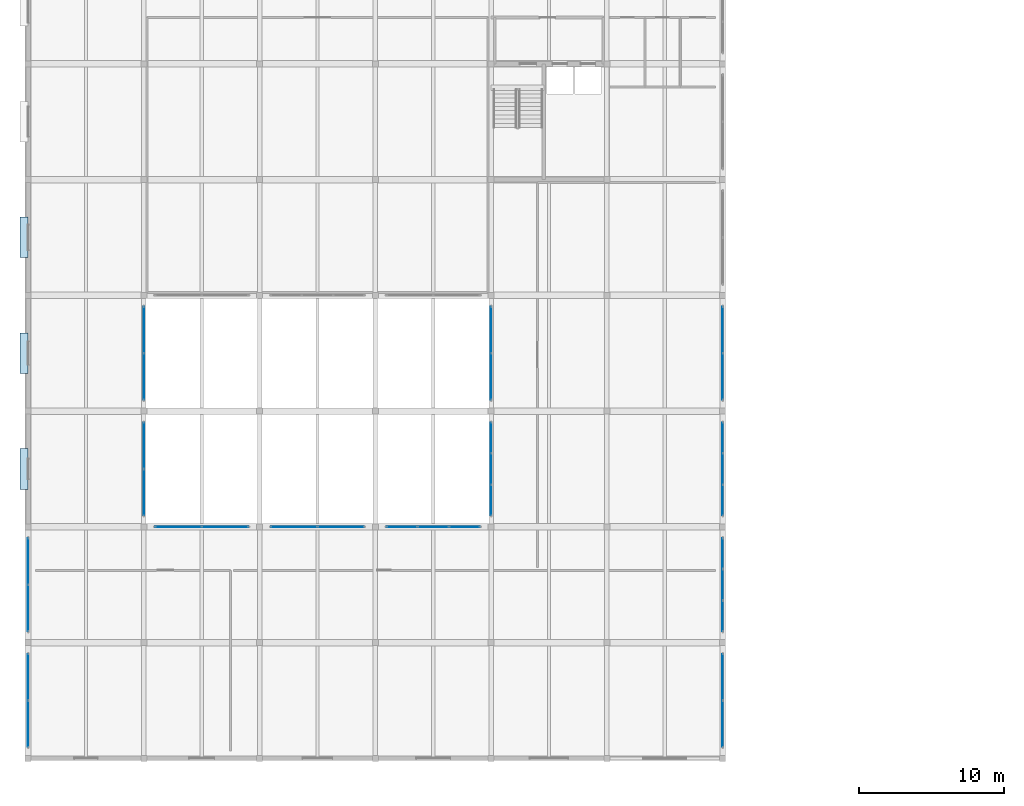
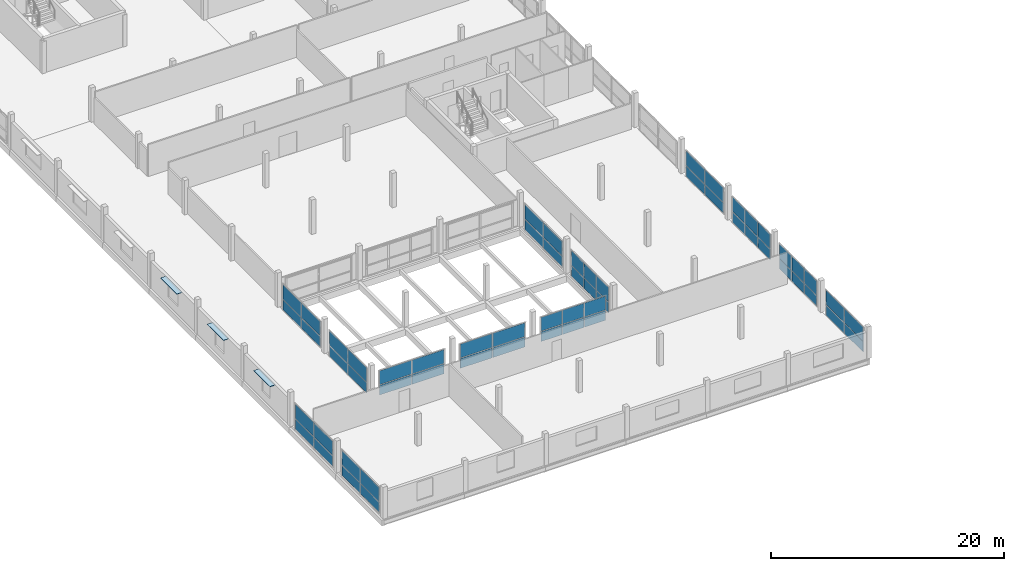
# One storey, part 30 of 51: 63 plates, 13 elements without a shape of their own.
"""IFC4 building model written with IfcOpenShell, lengths in metres."""

import ifcopenshell
import ifcopenshell.guid

model = None  # the IFC model being written
_history = None  # IfcOwnerHistory: only IFC2X3 demands one
_inside = {}  # id of a spatial element -> (the spatial element, [elements in it])
_under = {}  # id of a project, library or spatial element -> (it, [spatial elements below it])
_declared = {}  # id of a project -> (the project, [libraries it declares])
_typed = {}  # id of a type object -> (the type object, [elements of that type])
_made_of = {}  # id of a material, layer set ... -> (it, [elements and type objects made of it])


def new_model(schema):
    """Start an empty IFC model of exactly this schema.

    Asked for "IFC4X3", IfcOpenShell would pick the latest addendum, in which some entities
    have other attributes; the version numbers below select the first issue.
    IFC2X3 requires an IfcOwnerHistory on every rooted entity: one is made here for all.
    """
    global model, _history
    if schema == "IFC4X3":
        model = ifcopenshell.file(schema_version=(4, 3, 0, 0))
    else:
        model = ifcopenshell.file(schema=schema)
    _inside.clear()
    _under.clear()
    _declared.clear()
    _typed.clear()
    _made_of.clear()
    _history = None
    if model.schema == "IFC2X3":
        org = make("IfcOrganization", Name="unknown")
        user = make(
            "IfcPersonAndOrganization",
            ThePerson=make("IfcPerson", FamilyName="unknown"),
            TheOrganization=org,
        )
        app = make(
            "IfcApplication",
            ApplicationDeveloper=org,
            Version="unknown",
            ApplicationFullName="unknown",
            ApplicationIdentifier="unknown",
        )
        _history = make(
            "IfcOwnerHistory",
            OwningUser=user,
            OwningApplication=app,
            ChangeAction="ADDED",
            CreationDate=0,
        )
    return model


def make(cls, **values):
    """One entity of the class cls with the attributes given. An attribute that is None is left unset."""
    return model.create_entity(
        cls, **{name: value for name, value in values.items() if value is not None}
    )


def rooted(cls, **values):
    """An entity with a GlobalId (a new one), such as an element, a storey or a relation."""
    return make(cls, GlobalId=ifcopenshell.guid.new(), OwnerHistory=_history, **values)


def si_unit(unit_type, name, prefix=None):
    """IfcSIUnit, for example si_unit("LENGTHUNIT", "METRE", prefix="MILLI")."""
    return make("IfcSIUnit", UnitType=unit_type, Prefix=prefix, Name=name)


def assignment(units):
    """IfcUnitAssignment: the units of a project."""
    return None if units is None else make("IfcUnitAssignment", Units=units)


def point(xyz):
    """IfcCartesianPoint."""
    return None if xyz is None else make("IfcCartesianPoint", Coordinates=xyz)


def direction(xyz):
    """IfcDirection."""
    return None if xyz is None else make("IfcDirection", DirectionRatios=xyz)


def frame(location, z_axis=None, x_axis=None):
    """IfcAxis2Placement3D, a coordinate frame: its origin and axes. An axis left out is left unset."""
    return make(
        "IfcAxis2Placement3D",
        Location=point(location),
        Axis=direction(z_axis),
        RefDirection=direction(x_axis),
    )


def frame_2d(location, x_axis=None):
    """IfcAxis2Placement2D, a coordinate frame in the plane: its origin and x axis."""
    return make(
        "IfcAxis2Placement2D", Location=point(location), RefDirection=direction(x_axis)
    )


def origin():
    """The frame at (0, 0, 0) with its axes left unset."""
    return frame((0.0, 0.0, 0.0))


def origin_2d():
    """The frame at (0, 0) in the plane with its x axis left unset."""
    return frame_2d((0.0, 0.0))


def place(relative_to, where):
    """IfcLocalPlacement: puts the frame where relative to a parent placement (None: the world)."""
    return make(
        "IfcLocalPlacement", PlacementRelTo=relative_to, RelativePlacement=where
    )


def context(
    kind, dimensions, precision=None, world=None, true_north=None, identifier=None
):
    """IfcGeometricRepresentationContext, for example the 3D "Model" context."""
    return make(
        "IfcGeometricRepresentationContext",
        ContextIdentifier=identifier,
        ContextType=kind,
        CoordinateSpaceDimension=dimensions,
        Precision=precision,
        WorldCoordinateSystem=world,
        TrueNorth=true_north,
    )


def subcontext(parent, identifier, kind, view, scale=None):
    """IfcGeometricRepresentationSubContext, for example "Body" below "Model"."""
    return make(
        "IfcGeometricRepresentationSubContext",
        ContextIdentifier=identifier,
        ContextType=kind,
        ParentContext=parent,
        TargetScale=scale,
        TargetView=view,
    )


def project(units=None, contexts=None):
    """IfcProject with its units and contexts."""
    return rooted(
        "IfcProject",
        Name="project",
        RepresentationContexts=contexts,
        UnitsInContext=assignment(units),
    )


def spatial(cls, under=None, at=None, **own):
    """A site, building, storey or space (cls), placed at a placement, below another one or the project."""
    s = rooted(cls, ObjectPlacement=at, **own)
    if under is not None:
        _under.setdefault(under.id(), (under, []))[1].append(s)
    return s


def profile(cls, at=None, kind="AREA", **sizes):
    """A parametric profile (cls). Its sizes go by their IFC names, for example OverallWidth=200.0."""
    return make(cls, ProfileType=kind, Position=at, **sizes)


def rectangle(**sizes):
    """IfcRectangleProfileDef."""
    return profile("IfcRectangleProfileDef", **sizes)


def extrude(swept, where, along, depth):
    """IfcExtrudedAreaSolid: the profile swept, set in the frame where, extruded along a direction by depth."""
    return make(
        "IfcExtrudedAreaSolid",
        SweptArea=swept,
        Position=where,
        ExtrudedDirection=direction(along),
        Depth=depth,
    )


def shape(context_of_items, identifier, shape_type, items):
    """IfcShapeRepresentation: the items that make up one representation, for example the "Body"."""
    return make(
        "IfcShapeRepresentation",
        ContextOfItems=context_of_items,
        RepresentationIdentifier=identifier,
        RepresentationType=shape_type,
        Items=items,
    )


def material(Name=None, Category=None):
    """IfcMaterial."""
    return make("IfcMaterial", Name=Name, Category=Category)


def layer(
    of_material, thickness, ventilated=None, Name=None, Category=None, Priority=None
):
    """IfcMaterialLayer: one layer of a wall or slab, of a material (None: an air gap)."""
    return make(
        "IfcMaterialLayer",
        Material=of_material,
        LayerThickness=thickness,
        IsVentilated=ventilated,
        Name=Name,
        Category=Category,
        Priority=Priority,
    )


def layer_set(layers, Name=None):
    """IfcMaterialLayerSet."""
    return make("IfcMaterialLayerSet", MaterialLayers=layers, LayerSetName=Name)


def made_of(thing, what):
    """Note that an element or type object is made of a material, layer set ...; save() writes the relation."""
    if what is not None:
        _made_of.setdefault(what.id(), (what, []))[1].append(thing)
    return thing


def type_object(cls, material=None, **own):
    """A type object (cls), such as IfcWallType, which elements share."""
    return made_of(rooted(cls, **own), material)


def element(
    cls,
    number,
    at=None,
    inside=None,
    cuts=None,
    type_object=None,
    material=None,
    context=None,
    identifier="Body",
    shape_type=None,
    held_by="IfcProductDefinitionShape",
    body=None,
    shapes=None,
    **own,
):
    """One element of the class cls, such as IfcWall. Its Tag is "e" and its number.

    at: its placement. inside: the storey or other place that contains it. cuts: it is an
    opening in that element (IfcRelVoidsElement). A single representation is given by context,
    identifier, shape_type and body (its items); several are given by shapes. held_by: the class
    of the entity that holds the representations. save() writes the other relations.
    """
    e = rooted(cls, Tag="e%d" % number, ObjectPlacement=at, **own)
    if body is not None:
        shapes = [shape(context, identifier, shape_type, body)]
    if shapes is not None:
        e.Representation = make(held_by, Representations=shapes)
    if inside is not None:
        _inside.setdefault(inside.id(), (inside, []))[1].append(e)
    if cuts is not None:
        rooted(
            "IfcRelVoidsElement", RelatingBuildingElement=cuts, RelatedOpeningElement=e
        )
    if type_object is not None:
        _typed.setdefault(type_object.id(), (type_object, []))[1].append(e)
    return made_of(e, material)


def aggregate(whole, parts):
    """IfcRelAggregates: a whole, such as a stair, and the parts it consists of."""
    return rooted("IfcRelAggregates", RelatingObject=whole, RelatedObjects=parts)


def save(model, path):
    """Write the relations noted so far, then the file.

    IfcRelAggregates (storeys below a building ...), IfcRelContainedInSpatialStructure (elements
    in a storey), IfcRelDefinesByType, IfcRelAssociatesMaterial and IfcRelDeclares: one each for
    every whole, place, type object, material and project.
    """
    for whole, parts in _under.values():
        aggregate(whole, parts)
    for where, things in _inside.values():
        rooted(
            "IfcRelContainedInSpatialStructure",
            RelatedElements=things,
            RelatingStructure=where,
        )
    for kind, things in _typed.values():
        rooted("IfcRelDefinesByType", RelatedObjects=things, RelatingType=kind)
    for what, things in _made_of.values():
        rooted("IfcRelAssociatesMaterial", RelatedObjects=things, RelatingMaterial=what)
    for by, libraries in _declared.values():
        rooted("IfcRelDeclares", RelatingContext=by, RelatedDefinitions=libraries)
    model.write(path)


model = new_model("IFC4")

# Units and contexts
model_context = context("Model", 3, precision=1e-05, world=origin(), true_north=direction((0.0, 1.0)))
body_context = subcontext(model_context, "Body", "Model", "MODEL_VIEW")
ifc_project = project(units=[si_unit("LENGTHUNIT", "METRE"), si_unit("AREAUNIT", "SQUARE_METRE"), si_unit("VOLUMEUNIT", "CUBIC_METRE"), si_unit("PLANEANGLEUNIT", "RADIAN"), si_unit("MASSUNIT", "GRAM", prefix="KILO")], contexts=[model_context])

# Site, building, storey
site_placement = place(None, origin())
site = spatial("IfcSite", under=ifc_project, at=site_placement, CompositionType="ELEMENT")
building_placement = place(site_placement, origin())
building = spatial("IfcBuilding", under=site, at=building_placement, Name="Vharandega Faculty of Natural Sciences", CompositionType="ELEMENT")
storey_placement = place(building_placement, frame((0.0, 0.0, 14.39990234375)))
storey = spatial("IfcBuildingStorey", under=building, at=storey_placement, Name="L03", CompositionType="ELEMENT", Elevation=14.39990234375)

# Curtain wall, plates
ifc_material_1 = material(Name="Aluminium and solar-control glass curtain wall", Category="aluminium")
curtain_wall_type_1 = type_object("IfcCurtainWallType", Name="Unitised Curtain Wall System CW-12", PredefinedType="NOTDEFINED", material=ifc_material_1)
curtain_wall_1_placement = place(storey_placement, origin())
curtain_wall_1 = element("IfcCurtainWall", 1, at=curtain_wall_1_placement, inside=storey, type_object=curtain_wall_type_1, Name="Curtain Wall CW-L03-151", PredefinedType="NOTDEFINED")
ifc_material_2 = material(Name="Double-glazed low-E solar glass", Category="glass")
ifc_layer_1 = layer(ifc_material_2, 0.028076171875, Name="Double-glazed low-E solar glass")
ifc_layer_set_1 = layer_set([ifc_layer_1], Name="Double-glazed low-E solar glass")
plate_type_1 = type_object("IfcPlateType", Name="CW Solar Vision Panel 28mm", PredefinedType="CURTAIN_PANEL", material=ifc_layer_set_1)
plate_1_placement = place(storey_placement, frame((0.0, 2.385009765625, 0.06005859375), z_axis=(0.0, 0.0, 1.0), x_axis=(0.0, 1.0, 0.0)))
plate_1 = element("IfcPlate", 2, at=plate_1_placement, type_object=plate_type_1, Name="CW-12 panel 1.1", PredefinedType="CURTAIN_PANEL", context=body_context, shape_type="SweptSolid", body=[
    extrude(rectangle(XDim=3.169921875, YDim=0.028076171875, at=origin_2d()), origin(), (0.0, 0.0, 1.0), 1.060791015625),
])
plate_2_placement = place(storey_placement, frame((0.0, 2.385009765625, 1.1806640625), z_axis=(0.0, 0.0, 1.0), x_axis=(0.0, 1.0, 0.0)))
plate_2 = element("IfcPlate", 3, at=plate_2_placement, type_object=plate_type_1, Name="CW-12 panel 1.2", PredefinedType="CURTAIN_PANEL", context=body_context, shape_type="SweptSolid", body=[
    extrude(rectangle(XDim=3.169921875, YDim=0.028076171875, at=origin_2d()), origin(), (0.0, 0.0, 1.0), 1.499267578125),
])
plate_3_placement = place(storey_placement, frame((0.0, 5.614990234375, 0.06005859375), z_axis=(0.0, 0.0, 1.0), x_axis=(0.0, 1.0, 0.0)))
plate_3 = element("IfcPlate", 4, at=plate_3_placement, type_object=plate_type_1, Name="CW-12 panel 2.1", PredefinedType="CURTAIN_PANEL", context=body_context, shape_type="SweptSolid", body=[
    extrude(rectangle(XDim=3.169921875, YDim=0.028076171875, at=origin_2d()), origin(), (0.0, 0.0, 1.0), 1.060791015625),
])
plate_4_placement = place(storey_placement, frame((0.0, 5.614990234375, 1.1806640625), z_axis=(0.0, 0.0, 1.0), x_axis=(0.0, 1.0, 0.0)))
plate_4 = element("IfcPlate", 5, at=plate_4_placement, type_object=plate_type_1, Name="CW-12 panel 2.2", PredefinedType="CURTAIN_PANEL", context=body_context, shape_type="SweptSolid", body=[
    extrude(rectangle(XDim=3.169921875, YDim=0.028076171875, at=origin_2d()), origin(), (0.0, 0.0, 1.0), 1.499267578125),
])
aggregate(curtain_wall_1, [plate_1, plate_2, plate_3, plate_4])

ifc_material_3 = material(Name="Aluminium and solar-control glass curtain wall", Category="aluminium")
curtain_wall_type_2 = type_object("IfcCurtainWallType", Name="Unitised Curtain Wall System CW-13", PredefinedType="NOTDEFINED", material=ifc_material_3)
curtain_wall_2_placement = place(storey_placement, origin())
curtain_wall_2 = element("IfcCurtainWall", 6, at=curtain_wall_2_placement, inside=storey, type_object=curtain_wall_type_2, Name="Curtain Wall CW-L03-152", PredefinedType="NOTDEFINED")
plate_5_placement = place(storey_placement, frame((0.0, 10.385009765625, 0.06005859375), z_axis=(0.0, 0.0, 1.0), x_axis=(0.0, 1.0, 0.0)))
plate_5 = element("IfcPlate", 7, at=plate_5_placement, type_object=plate_type_1, Name="CW-13 panel 1.1", PredefinedType="CURTAIN_PANEL", context=body_context, shape_type="SweptSolid", body=[
    extrude(rectangle(XDim=3.169921875, YDim=0.028076171875, at=origin_2d()), origin(), (0.0, 0.0, 1.0), 1.060791015625),
])
plate_6_placement = place(storey_placement, frame((0.0, 10.385009765625, 1.1806640625), z_axis=(0.0, 0.0, 1.0), x_axis=(0.0, 1.0, 0.0)))
plate_6 = element("IfcPlate", 8, at=plate_6_placement, type_object=plate_type_1, Name="CW-13 panel 1.2", PredefinedType="CURTAIN_PANEL", context=body_context, shape_type="SweptSolid", body=[
    extrude(rectangle(XDim=3.169921875, YDim=0.028076171875, at=origin_2d()), origin(), (0.0, 0.0, 1.0), 1.499267578125),
])
plate_7_placement = place(storey_placement, frame((0.0, 13.614990234375, 0.06005859375), z_axis=(0.0, 0.0, 1.0), x_axis=(0.0, 1.0, 0.0)))
plate_7 = element("IfcPlate", 9, at=plate_7_placement, type_object=plate_type_1, Name="CW-13 panel 2.1", PredefinedType="CURTAIN_PANEL", context=body_context, shape_type="SweptSolid", body=[
    extrude(rectangle(XDim=3.169921875, YDim=0.028076171875, at=origin_2d()), origin(), (0.0, 0.0, 1.0), 1.060791015625),
])
plate_8_placement = place(storey_placement, frame((0.0, 13.614990234375, 1.1806640625), z_axis=(0.0, 0.0, 1.0), x_axis=(0.0, 1.0, 0.0)))
plate_8 = element("IfcPlate", 10, at=plate_8_placement, type_object=plate_type_1, Name="CW-13 panel 2.2", PredefinedType="CURTAIN_PANEL", context=body_context, shape_type="SweptSolid", body=[
    extrude(rectangle(XDim=3.169921875, YDim=0.028076171875, at=origin_2d()), origin(), (0.0, 0.0, 1.0), 1.499267578125),
])
aggregate(curtain_wall_2, [plate_5, plate_6, plate_7, plate_8])

ifc_material_4 = material(Name="Aluminium and solar-control glass curtain wall", Category="aluminium")
curtain_wall_type_3 = type_object("IfcCurtainWallType", Name="Unitised Curtain Wall System CW-14", PredefinedType="NOTDEFINED", material=ifc_material_4)
curtain_wall_3_placement = place(storey_placement, origin())
curtain_wall_3 = element("IfcCurtainWall", 11, at=curtain_wall_3_placement, inside=storey, type_object=curtain_wall_type_3, Name="Curtain Wall CW-L03-153", PredefinedType="NOTDEFINED")
plate_9_placement = place(storey_placement, frame((48.0, 2.385009765625, 0.06005859375), z_axis=(0.0, 0.0, 1.0), x_axis=(0.0, 1.0, 0.0)))
plate_9 = element("IfcPlate", 12, at=plate_9_placement, type_object=plate_type_1, Name="CW-14 panel 1.1", PredefinedType="CURTAIN_PANEL", context=body_context, shape_type="SweptSolid", body=[
    extrude(rectangle(XDim=3.169921875, YDim=0.028076171875, at=origin_2d()), origin(), (0.0, 0.0, 1.0), 1.060791015625),
])
plate_10_placement = place(storey_placement, frame((48.0, 2.385009765625, 1.1806640625), z_axis=(0.0, 0.0, 1.0), x_axis=(0.0, 1.0, 0.0)))
plate_10 = element("IfcPlate", 13, at=plate_10_placement, type_object=plate_type_1, Name="CW-14 panel 1.2", PredefinedType="CURTAIN_PANEL", context=body_context, shape_type="SweptSolid", body=[
    extrude(rectangle(XDim=3.169921875, YDim=0.028076171875, at=origin_2d()), origin(), (0.0, 0.0, 1.0), 1.499267578125),
])
plate_11_placement = place(storey_placement, frame((48.0, 5.614990234375, 0.06005859375), z_axis=(0.0, 0.0, 1.0), x_axis=(0.0, 1.0, 0.0)))
plate_11 = element("IfcPlate", 14, at=plate_11_placement, type_object=plate_type_1, Name="CW-14 panel 2.1", PredefinedType="CURTAIN_PANEL", context=body_context, shape_type="SweptSolid", body=[
    extrude(rectangle(XDim=3.169921875, YDim=0.028076171875, at=origin_2d()), origin(), (0.0, 0.0, 1.0), 1.060791015625),
])
plate_12_placement = place(storey_placement, frame((48.0, 5.614990234375, 1.1806640625), z_axis=(0.0, 0.0, 1.0), x_axis=(0.0, 1.0, 0.0)))
plate_12 = element("IfcPlate", 15, at=plate_12_placement, type_object=plate_type_1, Name="CW-14 panel 2.2", PredefinedType="CURTAIN_PANEL", context=body_context, shape_type="SweptSolid", body=[
    extrude(rectangle(XDim=3.169921875, YDim=0.028076171875, at=origin_2d()), origin(), (0.0, 0.0, 1.0), 1.499267578125),
])
aggregate(curtain_wall_3, [plate_9, plate_10, plate_11, plate_12])

ifc_material_5 = material(Name="Aluminium and solar-control glass curtain wall", Category="aluminium")
curtain_wall_type_4 = type_object("IfcCurtainWallType", Name="Unitised Curtain Wall System CW-15", PredefinedType="NOTDEFINED", material=ifc_material_5)
curtain_wall_4_placement = place(storey_placement, origin())
curtain_wall_4 = element("IfcCurtainWall", 16, at=curtain_wall_4_placement, inside=storey, type_object=curtain_wall_type_4, Name="Curtain Wall CW-L03-154", PredefinedType="NOTDEFINED")
plate_13_placement = place(storey_placement, frame((48.0, 9.841552734375, 0.06005859375), z_axis=(0.0, 0.0, 1.0), x_axis=(0.0, 1.0, 0.0)))
plate_13 = element("IfcPlate", 17, at=plate_13_placement, type_object=plate_type_1, Name="CW-15 panel 1.1", PredefinedType="CURTAIN_PANEL", context=body_context, shape_type="SweptSolid", body=[
    extrude(rectangle(XDim=2.083251953125, YDim=0.028076171875, at=origin_2d()), origin(), (0.0, 0.0, 1.0), 1.060791015625),
])
plate_14_placement = place(storey_placement, frame((48.0, 9.841552734375, 1.1806640625), z_axis=(0.0, 0.0, 1.0), x_axis=(0.0, 1.0, 0.0)))
plate_14 = element("IfcPlate", 18, at=plate_14_placement, type_object=plate_type_1, Name="CW-15 panel 1.2", PredefinedType="CURTAIN_PANEL", context=body_context, shape_type="SweptSolid", body=[
    extrude(rectangle(XDim=2.083251953125, YDim=0.028076171875, at=origin_2d()), origin(), (0.0, 0.0, 1.0), 1.499267578125),
])
plate_15_placement = place(storey_placement, frame((48.0, 12.0, 0.06005859375), z_axis=(0.0, 0.0, 1.0), x_axis=(0.0, 1.0, 0.0)))
plate_15 = element("IfcPlate", 19, at=plate_15_placement, type_object=plate_type_1, Name="CW-15 panel 2.1", PredefinedType="CURTAIN_PANEL", context=body_context, shape_type="SweptSolid", body=[
    extrude(rectangle(XDim=2.11328125, YDim=0.028076171875, at=origin_2d()), origin(), (0.0, 0.0, 1.0), 1.060791015625),
])
plate_16_placement = place(storey_placement, frame((48.0, 12.0, 1.1806640625), z_axis=(0.0, 0.0, 1.0), x_axis=(0.0, 1.0, 0.0)))
plate_16 = element("IfcPlate", 20, at=plate_16_placement, type_object=plate_type_1, Name="CW-15 panel 2.2", PredefinedType="CURTAIN_PANEL", context=body_context, shape_type="SweptSolid", body=[
    extrude(rectangle(XDim=2.11328125, YDim=0.028076171875, at=origin_2d()), origin(), (0.0, 0.0, 1.0), 1.499267578125),
])
plate_17_placement = place(storey_placement, frame((48.0, 14.158447265625, 0.06005859375), z_axis=(0.0, 0.0, 1.0), x_axis=(0.0, 1.0, 0.0)))
plate_17 = element("IfcPlate", 21, at=plate_17_placement, type_object=plate_type_1, Name="CW-15 panel 3.1", PredefinedType="CURTAIN_PANEL", context=body_context, shape_type="SweptSolid", body=[
    extrude(rectangle(XDim=2.083251953125, YDim=0.028076171875, at=origin_2d()), origin(), (0.0, 0.0, 1.0), 1.060791015625),
])
plate_18_placement = place(storey_placement, frame((48.0, 14.158447265625, 1.1806640625), z_axis=(0.0, 0.0, 1.0), x_axis=(0.0, 1.0, 0.0)))
plate_18 = element("IfcPlate", 22, at=plate_18_placement, type_object=plate_type_1, Name="CW-15 panel 3.2", PredefinedType="CURTAIN_PANEL", context=body_context, shape_type="SweptSolid", body=[
    extrude(rectangle(XDim=2.083251953125, YDim=0.028076171875, at=origin_2d()), origin(), (0.0, 0.0, 1.0), 1.499267578125),
])
aggregate(curtain_wall_4, [plate_13, plate_14, plate_15, plate_16, plate_17, plate_18])

ifc_material_6 = material(Name="Aluminium and solar-control glass curtain wall", Category="aluminium")
curtain_wall_type_5 = type_object("IfcCurtainWallType", Name="Unitised Curtain Wall System CW-16", PredefinedType="NOTDEFINED", material=ifc_material_6)
curtain_wall_5_placement = place(storey_placement, origin())
curtain_wall_5 = element("IfcCurtainWall", 23, at=curtain_wall_5_placement, inside=storey, type_object=curtain_wall_type_5, Name="Curtain Wall CW-L03-155", PredefinedType="NOTDEFINED")
plate_19_placement = place(storey_placement, frame((48.0, 17.841552734375, 0.06005859375), z_axis=(0.0, 0.0, 1.0), x_axis=(0.0, 1.0, 0.0)))
plate_19 = element("IfcPlate", 24, at=plate_19_placement, type_object=plate_type_1, Name="CW-16 panel 1.1", PredefinedType="CURTAIN_PANEL", context=body_context, shape_type="SweptSolid", body=[
    extrude(rectangle(XDim=2.083251953125, YDim=0.028076171875, at=origin_2d()), origin(), (0.0, 0.0, 1.0), 1.07763671875),
])
plate_20_placement = place(storey_placement, frame((48.0, 17.841552734375, 1.19775390625), z_axis=(0.0, 0.0, 1.0), x_axis=(0.0, 1.0, 0.0)))
plate_20 = element("IfcPlate", 25, at=plate_20_placement, type_object=plate_type_1, Name="CW-16 panel 1.2", PredefinedType="CURTAIN_PANEL", context=body_context, shape_type="SweptSolid", body=[
    extrude(rectangle(XDim=2.083251953125, YDim=0.028076171875, at=origin_2d()), origin(), (0.0, 0.0, 1.0), 1.5224609375),
])
plate_21_placement = place(storey_placement, frame((48.0, 20.0, 0.06005859375), z_axis=(0.0, 0.0, 1.0), x_axis=(0.0, 1.0, 0.0)))
plate_21 = element("IfcPlate", 26, at=plate_21_placement, type_object=plate_type_1, Name="CW-16 panel 2.1", PredefinedType="CURTAIN_PANEL", context=body_context, shape_type="SweptSolid", body=[
    extrude(rectangle(XDim=2.11328125, YDim=0.028076171875, at=origin_2d()), origin(), (0.0, 0.0, 1.0), 1.07763671875),
])
plate_22_placement = place(storey_placement, frame((48.0, 20.0, 1.19775390625), z_axis=(0.0, 0.0, 1.0), x_axis=(0.0, 1.0, 0.0)))
plate_22 = element("IfcPlate", 27, at=plate_22_placement, type_object=plate_type_1, Name="CW-16 panel 2.2", PredefinedType="CURTAIN_PANEL", context=body_context, shape_type="SweptSolid", body=[
    extrude(rectangle(XDim=2.11328125, YDim=0.028076171875, at=origin_2d()), origin(), (0.0, 0.0, 1.0), 1.5224609375),
])
plate_23_placement = place(storey_placement, frame((48.0, 22.158447265625, 0.06005859375), z_axis=(0.0, 0.0, 1.0), x_axis=(0.0, 1.0, 0.0)))
plate_23 = element("IfcPlate", 28, at=plate_23_placement, type_object=plate_type_1, Name="CW-16 panel 3.1", PredefinedType="CURTAIN_PANEL", context=body_context, shape_type="SweptSolid", body=[
    extrude(rectangle(XDim=2.083251953125, YDim=0.028076171875, at=origin_2d()), origin(), (0.0, 0.0, 1.0), 1.07763671875),
])
plate_24_placement = place(storey_placement, frame((48.0, 22.158447265625, 1.19775390625), z_axis=(0.0, 0.0, 1.0), x_axis=(0.0, 1.0, 0.0)))
plate_24 = element("IfcPlate", 29, at=plate_24_placement, type_object=plate_type_1, Name="CW-16 panel 3.2", PredefinedType="CURTAIN_PANEL", context=body_context, shape_type="SweptSolid", body=[
    extrude(rectangle(XDim=2.083251953125, YDim=0.028076171875, at=origin_2d()), origin(), (0.0, 0.0, 1.0), 1.5224609375),
])
aggregate(curtain_wall_5, [plate_19, plate_20, plate_21, plate_22, plate_23, plate_24])

ifc_material_7 = material(Name="Aluminium and solar-control glass curtain wall", Category="aluminium")
curtain_wall_type_6 = type_object("IfcCurtainWallType", Name="Unitised Curtain Wall System CW-17", PredefinedType="NOTDEFINED", material=ifc_material_7)
curtain_wall_6_placement = place(storey_placement, origin())
curtain_wall_6 = element("IfcCurtainWall", 30, at=curtain_wall_6_placement, inside=storey, type_object=curtain_wall_type_6, Name="Curtain Wall CW-L03-156", PredefinedType="NOTDEFINED")
plate_25_placement = place(storey_placement, frame((48.0, 26.385009765625, 0.06005859375), z_axis=(0.0, 0.0, 1.0), x_axis=(0.0, 1.0, 0.0)))
plate_25 = element("IfcPlate", 31, at=plate_25_placement, type_object=plate_type_1, Name="CW-17 panel 1.1", PredefinedType="CURTAIN_PANEL", context=body_context, shape_type="SweptSolid", body=[
    extrude(rectangle(XDim=3.169921875, YDim=0.028076171875, at=origin_2d()), origin(), (0.0, 0.0, 1.0), 1.07763671875),
])
plate_26_placement = place(storey_placement, frame((48.0, 26.385009765625, 1.19775390625), z_axis=(0.0, 0.0, 1.0), x_axis=(0.0, 1.0, 0.0)))
plate_26 = element("IfcPlate", 32, at=plate_26_placement, type_object=plate_type_1, Name="CW-17 panel 1.2", PredefinedType="CURTAIN_PANEL", context=body_context, shape_type="SweptSolid", body=[
    extrude(rectangle(XDim=3.169921875, YDim=0.028076171875, at=origin_2d()), origin(), (0.0, 0.0, 1.0), 1.5224609375),
])
plate_27_placement = place(storey_placement, frame((48.0, 29.614990234375, 0.06005859375), z_axis=(0.0, 0.0, 1.0), x_axis=(0.0, 1.0, 0.0)))
plate_27 = element("IfcPlate", 33, at=plate_27_placement, type_object=plate_type_1, Name="CW-17 panel 2.1", PredefinedType="CURTAIN_PANEL", context=body_context, shape_type="SweptSolid", body=[
    extrude(rectangle(XDim=3.169921875, YDim=0.028076171875, at=origin_2d()), origin(), (0.0, 0.0, 1.0), 1.07763671875),
])
plate_28_placement = place(storey_placement, frame((48.0, 29.614990234375, 1.19775390625), z_axis=(0.0, 0.0, 1.0), x_axis=(0.0, 1.0, 0.0)))
plate_28 = element("IfcPlate", 34, at=plate_28_placement, type_object=plate_type_1, Name="CW-17 panel 2.2", PredefinedType="CURTAIN_PANEL", context=body_context, shape_type="SweptSolid", body=[
    extrude(rectangle(XDim=3.169921875, YDim=0.028076171875, at=origin_2d()), origin(), (0.0, 0.0, 1.0), 1.5224609375),
])
aggregate(curtain_wall_6, [plate_25, plate_26, plate_27, plate_28])

ifc_material_8 = material(Name="Aluminium and solar-control glass curtain wall", Category="aluminium")
curtain_wall_type_7 = type_object("IfcCurtainWallType", Name="Unitised Curtain Wall System CW-22", PredefinedType="NOTDEFINED", material=ifc_material_8)
curtain_wall_7_placement = place(storey_placement, origin())
curtain_wall_7 = element("IfcCurtainWall", 35, at=curtain_wall_7_placement, inside=storey, type_object=curtain_wall_type_7, Name="Curtain Wall CW-L03-161", PredefinedType="NOTDEFINED")
plate_29_placement = place(storey_placement, frame((10.385009765625, 16.0, 0.06005859375), z_axis=(0.0, 0.0, 1.0), x_axis=(1.0, 0.0, 0.0)))
plate_29 = element("IfcPlate", 36, at=plate_29_placement, type_object=plate_type_1, Name="CW-22 panel 1.1", PredefinedType="CURTAIN_PANEL", context=body_context, shape_type="SweptSolid", body=[
    extrude(rectangle(XDim=3.169921875, YDim=0.028076171875, at=origin_2d()), origin(), (0.0, 0.0, 1.0), 1.027099609375),
])
plate_30_placement = place(storey_placement, frame((10.385009765625, 16.0, 1.1474609375), z_axis=(0.0, 0.0, 1.0), x_axis=(1.0, 0.0, 0.0)))
plate_30 = element("IfcPlate", 37, at=plate_30_placement, type_object=plate_type_1, Name="CW-22 panel 1.2", PredefinedType="CURTAIN_PANEL", context=body_context, shape_type="SweptSolid", body=[
    extrude(rectangle(XDim=3.169921875, YDim=0.028076171875, at=origin_2d()), origin(), (0.0, 0.0, 1.0), 1.452880859375),
])
plate_31_placement = place(storey_placement, frame((13.614990234375, 16.0, 0.06005859375), z_axis=(0.0, 0.0, 1.0), x_axis=(1.0, 0.0, 0.0)))
plate_31 = element("IfcPlate", 38, at=plate_31_placement, type_object=plate_type_1, Name="CW-22 panel 2.1", PredefinedType="CURTAIN_PANEL", context=body_context, shape_type="SweptSolid", body=[
    extrude(rectangle(XDim=3.169921875, YDim=0.028076171875, at=origin_2d()), origin(), (0.0, 0.0, 1.0), 1.027099609375),
])
plate_32_placement = place(storey_placement, frame((13.614990234375, 16.0, 1.1474609375), z_axis=(0.0, 0.0, 1.0), x_axis=(1.0, 0.0, 0.0)))
plate_32 = element("IfcPlate", 39, at=plate_32_placement, type_object=plate_type_1, Name="CW-22 panel 2.2", PredefinedType="CURTAIN_PANEL", context=body_context, shape_type="SweptSolid", body=[
    extrude(rectangle(XDim=3.169921875, YDim=0.028076171875, at=origin_2d()), origin(), (0.0, 0.0, 1.0), 1.452880859375),
])
aggregate(curtain_wall_7, [plate_29, plate_30, plate_31, plate_32])

ifc_material_9 = material(Name="Aluminium and solar-control glass curtain wall", Category="aluminium")
curtain_wall_type_8 = type_object("IfcCurtainWallType", Name="Unitised Curtain Wall System CW-24", PredefinedType="NOTDEFINED", material=ifc_material_9)
curtain_wall_8_placement = place(storey_placement, origin())
curtain_wall_8 = element("IfcCurtainWall", 40, at=curtain_wall_8_placement, inside=storey, type_object=curtain_wall_type_8, Name="Curtain Wall CW-L03-163", PredefinedType="NOTDEFINED")
plate_33_placement = place(storey_placement, frame((18.385009765625, 16.0, 0.06005859375), z_axis=(0.0, 0.0, 1.0), x_axis=(1.0, 0.0, 0.0)))
plate_33 = element("IfcPlate", 41, at=plate_33_placement, type_object=plate_type_1, Name="CW-24 panel 1.1", PredefinedType="CURTAIN_PANEL", context=body_context, shape_type="SweptSolid", body=[
    extrude(rectangle(XDim=3.169921875, YDim=0.028076171875, at=origin_2d()), origin(), (0.0, 0.0, 1.0), 1.027099609375),
])
plate_34_placement = place(storey_placement, frame((18.385009765625, 16.0, 1.1474609375), z_axis=(0.0, 0.0, 1.0), x_axis=(1.0, 0.0, 0.0)))
plate_34 = element("IfcPlate", 42, at=plate_34_placement, type_object=plate_type_1, Name="CW-24 panel 1.2", PredefinedType="CURTAIN_PANEL", context=body_context, shape_type="SweptSolid", body=[
    extrude(rectangle(XDim=3.169921875, YDim=0.028076171875, at=origin_2d()), origin(), (0.0, 0.0, 1.0), 1.452880859375),
])
plate_35_placement = place(storey_placement, frame((21.614990234375, 16.0, 0.06005859375), z_axis=(0.0, 0.0, 1.0), x_axis=(1.0, 0.0, 0.0)))
plate_35 = element("IfcPlate", 43, at=plate_35_placement, type_object=plate_type_1, Name="CW-24 panel 2.1", PredefinedType="CURTAIN_PANEL", context=body_context, shape_type="SweptSolid", body=[
    extrude(rectangle(XDim=3.169921875, YDim=0.028076171875, at=origin_2d()), origin(), (0.0, 0.0, 1.0), 1.027099609375),
])
plate_36_placement = place(storey_placement, frame((21.614990234375, 16.0, 1.1474609375), z_axis=(0.0, 0.0, 1.0), x_axis=(1.0, 0.0, 0.0)))
plate_36 = element("IfcPlate", 44, at=plate_36_placement, type_object=plate_type_1, Name="CW-24 panel 2.2", PredefinedType="CURTAIN_PANEL", context=body_context, shape_type="SweptSolid", body=[
    extrude(rectangle(XDim=3.169921875, YDim=0.028076171875, at=origin_2d()), origin(), (0.0, 0.0, 1.0), 1.452880859375),
])
aggregate(curtain_wall_8, [plate_33, plate_34, plate_35, plate_36])

ifc_material_10 = material(Name="Aluminium and solar-control glass curtain wall", Category="aluminium")
curtain_wall_type_9 = type_object("IfcCurtainWallType", Name="Unitised Curtain Wall System CW-26", PredefinedType="NOTDEFINED", material=ifc_material_10)
curtain_wall_9_placement = place(storey_placement, origin())
curtain_wall_9 = element("IfcCurtainWall", 45, at=curtain_wall_9_placement, inside=storey, type_object=curtain_wall_type_9, Name="Curtain Wall CW-L03-165", PredefinedType="NOTDEFINED")
plate_37_placement = place(storey_placement, frame((25.841552734375, 16.0, 0.06005859375), z_axis=(0.0, 0.0, 1.0), x_axis=(1.0, 0.0, 0.0)))
plate_37 = element("IfcPlate", 46, at=plate_37_placement, type_object=plate_type_1, Name="CW-26 panel 1.1", PredefinedType="CURTAIN_PANEL", context=body_context, shape_type="SweptSolid", body=[
    extrude(rectangle(XDim=2.083251953125, YDim=0.028076171875, at=origin_2d()), origin(), (0.0, 0.0, 1.0), 1.027099609375),
])
plate_38_placement = place(storey_placement, frame((25.841552734375, 16.0, 1.1474609375), z_axis=(0.0, 0.0, 1.0), x_axis=(1.0, 0.0, 0.0)))
plate_38 = element("IfcPlate", 47, at=plate_38_placement, type_object=plate_type_1, Name="CW-26 panel 1.2", PredefinedType="CURTAIN_PANEL", context=body_context, shape_type="SweptSolid", body=[
    extrude(rectangle(XDim=2.083251953125, YDim=0.028076171875, at=origin_2d()), origin(), (0.0, 0.0, 1.0), 1.452880859375),
])
plate_39_placement = place(storey_placement, frame((28.0, 16.0, 0.06005859375), z_axis=(0.0, 0.0, 1.0), x_axis=(1.0, 0.0, 0.0)))
plate_39 = element("IfcPlate", 48, at=plate_39_placement, type_object=plate_type_1, Name="CW-26 panel 2.1", PredefinedType="CURTAIN_PANEL", context=body_context, shape_type="SweptSolid", body=[
    extrude(rectangle(XDim=2.11328125, YDim=0.028076171875, at=origin_2d()), origin(), (0.0, 0.0, 1.0), 1.027099609375),
])
plate_40_placement = place(storey_placement, frame((28.0, 16.0, 1.1474609375), z_axis=(0.0, 0.0, 1.0), x_axis=(1.0, 0.0, 0.0)))
plate_40 = element("IfcPlate", 49, at=plate_40_placement, type_object=plate_type_1, Name="CW-26 panel 2.2", PredefinedType="CURTAIN_PANEL", context=body_context, shape_type="SweptSolid", body=[
    extrude(rectangle(XDim=2.11328125, YDim=0.028076171875, at=origin_2d()), origin(), (0.0, 0.0, 1.0), 1.452880859375),
])
plate_41_placement = place(storey_placement, frame((30.158447265625, 16.0, 0.06005859375), z_axis=(0.0, 0.0, 1.0), x_axis=(1.0, 0.0, 0.0)))
plate_41 = element("IfcPlate", 50, at=plate_41_placement, type_object=plate_type_1, Name="CW-26 panel 3.1", PredefinedType="CURTAIN_PANEL", context=body_context, shape_type="SweptSolid", body=[
    extrude(rectangle(XDim=2.083251953125, YDim=0.028076171875, at=origin_2d()), origin(), (0.0, 0.0, 1.0), 1.027099609375),
])
plate_42_placement = place(storey_placement, frame((30.158447265625, 16.0, 1.1474609375), z_axis=(0.0, 0.0, 1.0), x_axis=(1.0, 0.0, 0.0)))
plate_42 = element("IfcPlate", 51, at=plate_42_placement, type_object=plate_type_1, Name="CW-26 panel 3.2", PredefinedType="CURTAIN_PANEL", context=body_context, shape_type="SweptSolid", body=[
    extrude(rectangle(XDim=2.083251953125, YDim=0.028076171875, at=origin_2d()), origin(), (0.0, 0.0, 1.0), 1.452880859375),
])
aggregate(curtain_wall_9, [plate_37, plate_38, plate_39, plate_40, plate_41, plate_42])

ifc_material_11 = material(Name="Aluminium and solar-control glass curtain wall", Category="aluminium")
curtain_wall_type_10 = type_object("IfcCurtainWallType", Name="Unitised Curtain Wall System CW-28", PredefinedType="NOTDEFINED", material=ifc_material_11)
curtain_wall_10_placement = place(storey_placement, origin())
curtain_wall_10 = element("IfcCurtainWall", 52, at=curtain_wall_10_placement, inside=storey, type_object=curtain_wall_type_10, Name="Curtain Wall CW-L03-167", PredefinedType="NOTDEFINED")
plate_43_placement = place(storey_placement, frame((8.0, 18.385009765625, 0.06005859375), z_axis=(0.0, 0.0, 1.0), x_axis=(0.0, 1.0, 0.0)))
plate_43 = element("IfcPlate", 53, at=plate_43_placement, type_object=plate_type_1, Name="CW-28 panel 1.1", PredefinedType="CURTAIN_PANEL", context=body_context, shape_type="SweptSolid", body=[
    extrude(rectangle(XDim=3.169921875, YDim=0.028076171875, at=origin_2d()), origin(), (0.0, 0.0, 1.0), 1.07763671875),
])
plate_44_placement = place(storey_placement, frame((8.0, 18.385009765625, 1.19775390625), z_axis=(0.0, 0.0, 1.0), x_axis=(0.0, 1.0, 0.0)))
plate_44 = element("IfcPlate", 54, at=plate_44_placement, type_object=plate_type_1, Name="CW-28 panel 1.2", PredefinedType="CURTAIN_PANEL", context=body_context, shape_type="SweptSolid", body=[
    extrude(rectangle(XDim=3.169921875, YDim=0.028076171875, at=origin_2d()), origin(), (0.0, 0.0, 1.0), 1.5224609375),
])
plate_45_placement = place(storey_placement, frame((8.0, 21.614990234375, 0.06005859375), z_axis=(0.0, 0.0, 1.0), x_axis=(0.0, 1.0, 0.0)))
plate_45 = element("IfcPlate", 55, at=plate_45_placement, type_object=plate_type_1, Name="CW-28 panel 2.1", PredefinedType="CURTAIN_PANEL", context=body_context, shape_type="SweptSolid", body=[
    extrude(rectangle(XDim=3.169921875, YDim=0.028076171875, at=origin_2d()), origin(), (0.0, 0.0, 1.0), 1.07763671875),
])
plate_46_placement = place(storey_placement, frame((8.0, 21.614990234375, 1.19775390625), z_axis=(0.0, 0.0, 1.0), x_axis=(0.0, 1.0, 0.0)))
plate_46 = element("IfcPlate", 56, at=plate_46_placement, type_object=plate_type_1, Name="CW-28 panel 2.2", PredefinedType="CURTAIN_PANEL", context=body_context, shape_type="SweptSolid", body=[
    extrude(rectangle(XDim=3.169921875, YDim=0.028076171875, at=origin_2d()), origin(), (0.0, 0.0, 1.0), 1.5224609375),
])
aggregate(curtain_wall_10, [plate_43, plate_44, plate_45, plate_46])

ifc_material_12 = material(Name="Aluminium and solar-control glass curtain wall", Category="aluminium")
curtain_wall_type_11 = type_object("IfcCurtainWallType", Name="Unitised Curtain Wall System CW-01", PredefinedType="NOTDEFINED", material=ifc_material_12)
curtain_wall_11_placement = place(storey_placement, origin())
curtain_wall_11 = element("IfcCurtainWall", 57, at=curtain_wall_11_placement, inside=storey, type_object=curtain_wall_type_11, Name="Curtain Wall CW-L03-168", PredefinedType="NOTDEFINED")
plate_47_placement = place(storey_placement, frame((32.0, 17.841552734375, 0.06005859375), z_axis=(0.0, 0.0, 1.0), x_axis=(0.0, 1.0, 0.0)))
plate_47 = element("IfcPlate", 58, at=plate_47_placement, type_object=plate_type_1, Name="CW-01 panel 1.1", PredefinedType="CURTAIN_PANEL", context=body_context, shape_type="SweptSolid", body=[
    extrude(rectangle(XDim=2.083251953125, YDim=0.028076171875, at=origin_2d()), origin(), (0.0, 0.0, 1.0), 1.07763671875),
])
plate_48_placement = place(storey_placement, frame((32.0, 17.841552734375, 1.19775390625), z_axis=(0.0, 0.0, 1.0), x_axis=(0.0, 1.0, 0.0)))
plate_48 = element("IfcPlate", 59, at=plate_48_placement, type_object=plate_type_1, Name="CW-01 panel 1.2", PredefinedType="CURTAIN_PANEL", context=body_context, shape_type="SweptSolid", body=[
    extrude(rectangle(XDim=2.083251953125, YDim=0.028076171875, at=origin_2d()), origin(), (0.0, 0.0, 1.0), 1.5224609375),
])
plate_49_placement = place(storey_placement, frame((32.0, 20.0, 0.06005859375), z_axis=(0.0, 0.0, 1.0), x_axis=(0.0, 1.0, 0.0)))
plate_49 = element("IfcPlate", 60, at=plate_49_placement, type_object=plate_type_1, Name="CW-01 panel 2.1", PredefinedType="CURTAIN_PANEL", context=body_context, shape_type="SweptSolid", body=[
    extrude(rectangle(XDim=2.11328125, YDim=0.028076171875, at=origin_2d()), origin(), (0.0, 0.0, 1.0), 1.07763671875),
])
plate_50_placement = place(storey_placement, frame((32.0, 20.0, 1.19775390625), z_axis=(0.0, 0.0, 1.0), x_axis=(0.0, 1.0, 0.0)))
plate_50 = element("IfcPlate", 61, at=plate_50_placement, type_object=plate_type_1, Name="CW-01 panel 2.2", PredefinedType="CURTAIN_PANEL", context=body_context, shape_type="SweptSolid", body=[
    extrude(rectangle(XDim=2.11328125, YDim=0.028076171875, at=origin_2d()), origin(), (0.0, 0.0, 1.0), 1.5224609375),
])
plate_51_placement = place(storey_placement, frame((32.0, 22.158447265625, 0.06005859375), z_axis=(0.0, 0.0, 1.0), x_axis=(0.0, 1.0, 0.0)))
plate_51 = element("IfcPlate", 62, at=plate_51_placement, type_object=plate_type_1, Name="CW-01 panel 3.1", PredefinedType="CURTAIN_PANEL", context=body_context, shape_type="SweptSolid", body=[
    extrude(rectangle(XDim=2.083251953125, YDim=0.028076171875, at=origin_2d()), origin(), (0.0, 0.0, 1.0), 1.07763671875),
])
plate_52_placement = place(storey_placement, frame((32.0, 22.158447265625, 1.19775390625), z_axis=(0.0, 0.0, 1.0), x_axis=(0.0, 1.0, 0.0)))
plate_52 = element("IfcPlate", 63, at=plate_52_placement, type_object=plate_type_1, Name="CW-01 panel 3.2", PredefinedType="CURTAIN_PANEL", context=body_context, shape_type="SweptSolid", body=[
    extrude(rectangle(XDim=2.083251953125, YDim=0.028076171875, at=origin_2d()), origin(), (0.0, 0.0, 1.0), 1.5224609375),
])
aggregate(curtain_wall_11, [plate_47, plate_48, plate_49, plate_50, plate_51, plate_52])

ifc_material_13 = material(Name="Aluminium and solar-control glass curtain wall", Category="aluminium")
curtain_wall_type_12 = type_object("IfcCurtainWallType", Name="Unitised Curtain Wall System CW-02", PredefinedType="NOTDEFINED", material=ifc_material_13)
curtain_wall_12_placement = place(storey_placement, origin())
curtain_wall_12 = element("IfcCurtainWall", 64, at=curtain_wall_12_placement, inside=storey, type_object=curtain_wall_type_12, Name="Curtain Wall CW-L03-169", PredefinedType="NOTDEFINED")
plate_53_placement = place(storey_placement, frame((8.0, 26.385009765625, 0.06005859375), z_axis=(0.0, 0.0, 1.0), x_axis=(0.0, 1.0, 0.0)))
plate_53 = element("IfcPlate", 65, at=plate_53_placement, type_object=plate_type_1, Name="CW-02 panel 1.1", PredefinedType="CURTAIN_PANEL", context=body_context, shape_type="SweptSolid", body=[
    extrude(rectangle(XDim=3.169921875, YDim=0.028076171875, at=origin_2d()), origin(), (0.0, 0.0, 1.0), 1.07763671875),
])
plate_54_placement = place(storey_placement, frame((8.0, 26.385009765625, 1.19775390625), z_axis=(0.0, 0.0, 1.0), x_axis=(0.0, 1.0, 0.0)))
plate_54 = element("IfcPlate", 66, at=plate_54_placement, type_object=plate_type_1, Name="CW-02 panel 1.2", PredefinedType="CURTAIN_PANEL", context=body_context, shape_type="SweptSolid", body=[
    extrude(rectangle(XDim=3.169921875, YDim=0.028076171875, at=origin_2d()), origin(), (0.0, 0.0, 1.0), 1.5224609375),
])
plate_55_placement = place(storey_placement, frame((8.0, 29.614990234375, 0.06005859375), z_axis=(0.0, 0.0, 1.0), x_axis=(0.0, 1.0, 0.0)))
plate_55 = element("IfcPlate", 67, at=plate_55_placement, type_object=plate_type_1, Name="CW-02 panel 2.1", PredefinedType="CURTAIN_PANEL", context=body_context, shape_type="SweptSolid", body=[
    extrude(rectangle(XDim=3.169921875, YDim=0.028076171875, at=origin_2d()), origin(), (0.0, 0.0, 1.0), 1.07763671875),
])
plate_56_placement = place(storey_placement, frame((8.0, 29.614990234375, 1.19775390625), z_axis=(0.0, 0.0, 1.0), x_axis=(0.0, 1.0, 0.0)))
plate_56 = element("IfcPlate", 68, at=plate_56_placement, type_object=plate_type_1, Name="CW-02 panel 2.2", PredefinedType="CURTAIN_PANEL", context=body_context, shape_type="SweptSolid", body=[
    extrude(rectangle(XDim=3.169921875, YDim=0.028076171875, at=origin_2d()), origin(), (0.0, 0.0, 1.0), 1.5224609375),
])
aggregate(curtain_wall_12, [plate_53, plate_54, plate_55, plate_56])

ifc_material_14 = material(Name="Aluminium and solar-control glass curtain wall", Category="aluminium")
curtain_wall_type_13 = type_object("IfcCurtainWallType", Name="Unitised Curtain Wall System CW-03", PredefinedType="NOTDEFINED", material=ifc_material_14)
curtain_wall_13_placement = place(storey_placement, origin())
curtain_wall_13 = element("IfcCurtainWall", 69, at=curtain_wall_13_placement, inside=storey, type_object=curtain_wall_type_13, Name="Curtain Wall CW-L03-170", PredefinedType="NOTDEFINED")
plate_57_placement = place(storey_placement, frame((32.0, 26.385009765625, 0.06005859375), z_axis=(0.0, 0.0, 1.0), x_axis=(0.0, 1.0, 0.0)))
plate_57 = element("IfcPlate", 70, at=plate_57_placement, type_object=plate_type_1, Name="CW-03 panel 1.1", PredefinedType="CURTAIN_PANEL", context=body_context, shape_type="SweptSolid", body=[
    extrude(rectangle(XDim=3.169921875, YDim=0.028076171875, at=origin_2d()), origin(), (0.0, 0.0, 1.0), 1.07763671875),
])
plate_58_placement = place(storey_placement, frame((32.0, 26.385009765625, 1.19775390625), z_axis=(0.0, 0.0, 1.0), x_axis=(0.0, 1.0, 0.0)))
plate_58 = element("IfcPlate", 71, at=plate_58_placement, type_object=plate_type_1, Name="CW-03 panel 1.2", PredefinedType="CURTAIN_PANEL", context=body_context, shape_type="SweptSolid", body=[
    extrude(rectangle(XDim=3.169921875, YDim=0.028076171875, at=origin_2d()), origin(), (0.0, 0.0, 1.0), 1.5224609375),
])
plate_59_placement = place(storey_placement, frame((32.0, 29.614990234375, 0.06005859375), z_axis=(0.0, 0.0, 1.0), x_axis=(0.0, 1.0, 0.0)))
plate_59 = element("IfcPlate", 72, at=plate_59_placement, type_object=plate_type_1, Name="CW-03 panel 2.1", PredefinedType="CURTAIN_PANEL", context=body_context, shape_type="SweptSolid", body=[
    extrude(rectangle(XDim=3.169921875, YDim=0.028076171875, at=origin_2d()), origin(), (0.0, 0.0, 1.0), 1.07763671875),
])
plate_60_placement = place(storey_placement, frame((32.0, 29.614990234375, 1.19775390625), z_axis=(0.0, 0.0, 1.0), x_axis=(0.0, 1.0, 0.0)))
plate_60 = element("IfcPlate", 73, at=plate_60_placement, type_object=plate_type_1, Name="CW-03 panel 2.2", PredefinedType="CURTAIN_PANEL", context=body_context, shape_type="SweptSolid", body=[
    extrude(rectangle(XDim=3.169921875, YDim=0.028076171875, at=origin_2d()), origin(), (0.0, 0.0, 1.0), 1.5224609375),
])
aggregate(curtain_wall_13, [plate_57, plate_58, plate_59, plate_60])

# Plates
ifc_material_15 = material(Name="Aluminium solar hood sheet", Category="aluminium")
ifc_layer_2 = layer(ifc_material_15, 0.0400390625, Name="Aluminium solar hood sheet")
ifc_layer_set_2 = layer_set([ifc_layer_2], Name="Aluminium solar hood sheet")
plate_type_2 = type_object("IfcPlateType", Name="North Solar Hood Sheet Plate 40", PredefinedType="SHEET", material=ifc_layer_set_2)
for number, where, z_axis, x_axis, name in (
    (74, (-0.280029296875, 20.0, 2.60009765625), (0.0, 0.0, 1.0), (1.0, 0.0, 0.0), "Solar Shading Hood L03 C"),
    (75, (-0.280029296875, 28.0, 2.60009765625), (0.0, 0.0, 1.0), (1.0, 0.0, 0.0), "Solar Shading Hood L03 D"),
    (76, (-0.280029296875, 36.0, 2.60009765625), (0.0, 0.0, 1.0), (1.0, 0.0, 0.0), "Solar Shading Hood L03 E"),
):
    element("IfcPlate", number, at=place(storey_placement, frame(where, z_axis=z_axis, x_axis=x_axis)), inside=storey, type_object=plate_type_2, Name=name, PredefinedType="SHEET", context=body_context, shape_type="SweptSolid", body=[
        extrude(rectangle(XDim=0.56005859375, YDim=2.800048828125, at=origin_2d()), origin(), (0.0, 0.0, 1.0), 0.0400390625),
    ])

save(model, "model.ifc")
